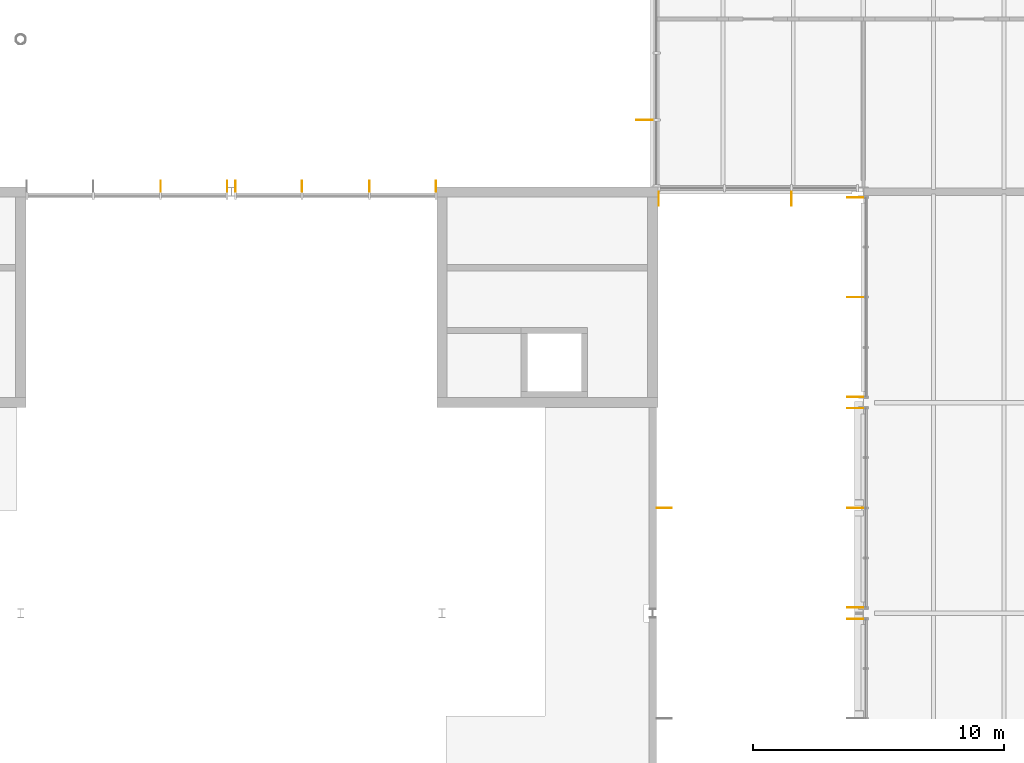
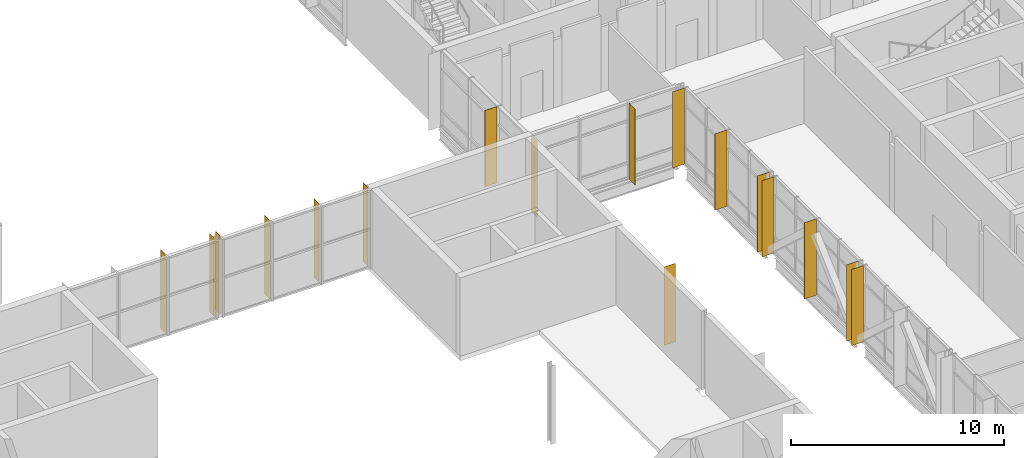
# One storey, part 84 of 89: 17 shading devices.
"""IFC4 building model written with IfcOpenShell, lengths in metres."""

from ifc_helpers import new_model, si_unit, direction, frame, origin, origin_2d, place, context, subcontext, project, spatial, rectangle, extrude, material, layer, layer_set, type_object, element, save


model = new_model("IFC4")

# Units and contexts
model_context = context("Model", 3, precision=1e-05, world=origin(), true_north=direction((0.0, 1.0)))
body_context = subcontext(model_context, "Body", "Model", "MODEL_VIEW")
ifc_project = project(units=[si_unit("LENGTHUNIT", "METRE"), si_unit("AREAUNIT", "SQUARE_METRE"), si_unit("VOLUMEUNIT", "CUBIC_METRE"), si_unit("PLANEANGLEUNIT", "RADIAN"), si_unit("MASSUNIT", "GRAM", prefix="KILO")], contexts=[model_context])

# Site, building, storey
site_placement = place(None, origin())
site = spatial("IfcSite", under=ifc_project, at=site_placement, CompositionType="ELEMENT")
building_placement = place(site_placement, origin())
building = spatial("IfcBuilding", under=site, at=building_placement, Name="Hlaing Beacon Police Headquarters", CompositionType="ELEMENT")
storey_placement = place(building_placement, frame((0.0, 0.0, 9.89990234375)))
storey = spatial("IfcBuildingStorey", under=building, at=storey_placement, Name="L02", CompositionType="ELEMENT", Elevation=9.89990234375)

# Shading devices
ifc_material_1 = material(Name="Aluminium 6063-T5 anodised", Category="aluminium")
ifc_layer_1 = layer(ifc_material_1, 0.011962890625)
ifc_layer_set_1 = layer_set([ifc_layer_1], Name="Aluminium 6063-T5 anodised")
shading_device_type_1 = type_object("IfcShadingDeviceType", Name="Aluminium fin 12x450", PredefinedType="JALOUSIE", material=ifc_layer_set_1)
for number, where, z_axis, x_axis, name in (
    (1, (83.760009765625, 67.425048828125, 0.0), (0.0, 0.0, 1.0), (-1.0, 0.0, 0.0), "Fin L02 N003.0"),
    (2, (81.109375, 67.425048828125, 0.0), (0.0, 0.0, 1.0), (-1.0, 0.0, 0.0), "Fin L02 N003.1"),
    (3, (78.4189453125, 67.425048828125, 0.0), (0.0, 0.0, 1.0), (-1.0, 0.0, 0.0), "Fin L02 N003.2"),
    (4, (75.768310546875, 67.425048828125, 0.0), (0.0, 0.0, 1.0), (-1.0, 0.0, 0.0), "Fin L02 N003.3"),
    (5, (75.431640625, 67.425048828125, 0.0), (0.0, 0.0, 1.0), (-1.0, 0.0, 0.0), "Fin L02 N004.0"),
    (6, (72.781005859375, 67.425048828125, 0.0), (0.0, 0.0, 1.0), (-1.0, 0.0, 0.0), "Fin L02 N004.1"),
):
    element("IfcShadingDevice", number, at=place(storey_placement, frame(where, z_axis=z_axis, x_axis=x_axis)), inside=storey, type_object=shading_device_type_1, Name=name, PredefinedType="JALOUSIE", context=body_context, shape_type="SweptSolid", body=[
        extrude(rectangle(XDim=0.011962890625, YDim=0.449951171875, at=origin_2d()), origin(), (0.0, 0.0, 1.0), 4.5),
    ])
ifc_material_2 = material(Name="Aluminium 6063-T5 anodised", Category="aluminium")
ifc_layer_2 = layer(ifc_material_2, 0.011962890625)
ifc_layer_set_2 = layer_set([ifc_layer_2], Name="Aluminium 6063-T5 anodised")
shading_device_type_2 = type_object("IfcShadingDeviceType", Name="Aluminium fin 12x550", PredefinedType="JALOUSIE", material=ifc_layer_set_2)
for number, where, z_axis, x_axis, name in (
    (7, (92.639892578125, 66.925048828125, 0.0), (0.0, 0.0, 1.0), (1.0, 0.0, 0.0), "Fin L02 S029.0"),
    (8, (97.935546875, 66.925048828125, 0.0), (0.0, 0.0, 1.0), (1.0, 0.0, 0.0), "Fin L02 S029.2"),
):
    element("IfcShadingDevice", number, at=place(storey_placement, frame(where, z_axis=z_axis, x_axis=x_axis)), inside=storey, type_object=shading_device_type_2, Name=name, PredefinedType="JALOUSIE", context=body_context, shape_type="SweptSolid", body=[
        extrude(rectangle(XDim=0.011962890625, YDim=0.550048828125, at=origin_2d()), origin(), (0.0, 0.0, 1.0), 4.3701171875),
    ])
ifc_material_3 = material(Name="Aluminium 6063-T5 anodised", Category="aluminium")
ifc_layer_3 = layer(ifc_material_3, 0.011962890625)
ifc_layer_set_3 = layer_set([ifc_layer_3], Name="Aluminium 6063-T5 anodised")
shading_device_type_3 = type_object("IfcShadingDeviceType", Name="Aluminium fin 12x600", PredefinedType="JALOUSIE", material=ifc_layer_set_3)
shading_device_placement = place(storey_placement, frame((92.85009765625, 54.60009765625, 0.0), z_axis=(0.0, 0.0, 1.0), x_axis=(0.0, 1.0, 0.0)))
element("IfcShadingDevice", 9, at=shading_device_placement, inside=storey, type_object=shading_device_type_3, Name="Fin L02 E004", PredefinedType="JALOUSIE", context=body_context, shape_type="SweptSolid", body=[
    extrude(rectangle(XDim=0.011962890625, YDim=0.60009765625, at=origin_2d()), origin(), (0.0, 0.0, 1.0), 4.5),
])
ifc_material_4 = material(Name="Aluminium 6063-T5 anodised", Category="aluminium")
ifc_layer_4 = layer(ifc_material_4, 0.01611328125)
ifc_layer_set_4 = layer_set([ifc_layer_4], Name="Aluminium 6063-T5 anodised")
shading_device_type_4 = type_object("IfcShadingDeviceType", Name="Aluminium fin 16x650", PredefinedType="JALOUSIE", material=ifc_layer_set_4)
for number, where, z_axis, x_axis, name in (
    (10, (92.074951171875, 70.066650390625, 0.0), (0.0, 0.0, 1.0), (0.0, -1.0, 0.0), "Fin L02 W028.2"),
    (11, (100.47509765625, 66.98193359375, 0.0), (0.0, 0.0, 1.0), (0.0, -1.0, 0.0), "Fin L02 W030.0"),
    (12, (100.47509765625, 63.00244140625, 0.0), (0.0, 0.0, 1.0), (0.0, -1.0, 0.0), "Fin L02 W030.2"),
    (13, (100.47509765625, 59.02294921875, 0.0), (0.0, 0.0, 1.0), (0.0, -1.0, 0.0), "Fin L02 W030.4"),
    (14, (100.47509765625, 58.576904296875, 0.0), (0.0, 0.0, 1.0), (0.0, -1.0, 0.0), "Fin L02 W031.0"),
    (15, (100.47509765625, 54.60009765625, 0.0), (0.0, 0.0, 1.0), (0.0, -1.0, 0.0), "Fin L02 W031.2"),
    (16, (100.47509765625, 50.623046875, 0.0), (0.0, 0.0, 1.0), (0.0, -1.0, 0.0), "Fin L02 W031.4"),
    (17, (100.47509765625, 50.177001953125, 0.0), (0.0, 0.0, 1.0), (0.0, -1.0, 0.0), "Fin L02 W032.0"),
):
    element("IfcShadingDevice", number, at=place(storey_placement, frame(where, z_axis=z_axis, x_axis=x_axis)), inside=storey, type_object=shading_device_type_4, Name=name, PredefinedType="JALOUSIE", context=body_context, shape_type="SweptSolid", body=[
        extrude(rectangle(XDim=0.01611328125, YDim=0.64990234375, at=origin_2d()), origin(), (0.0, 0.0, 1.0), 4.3701171875),
    ])

save(model, "model.ifc")
